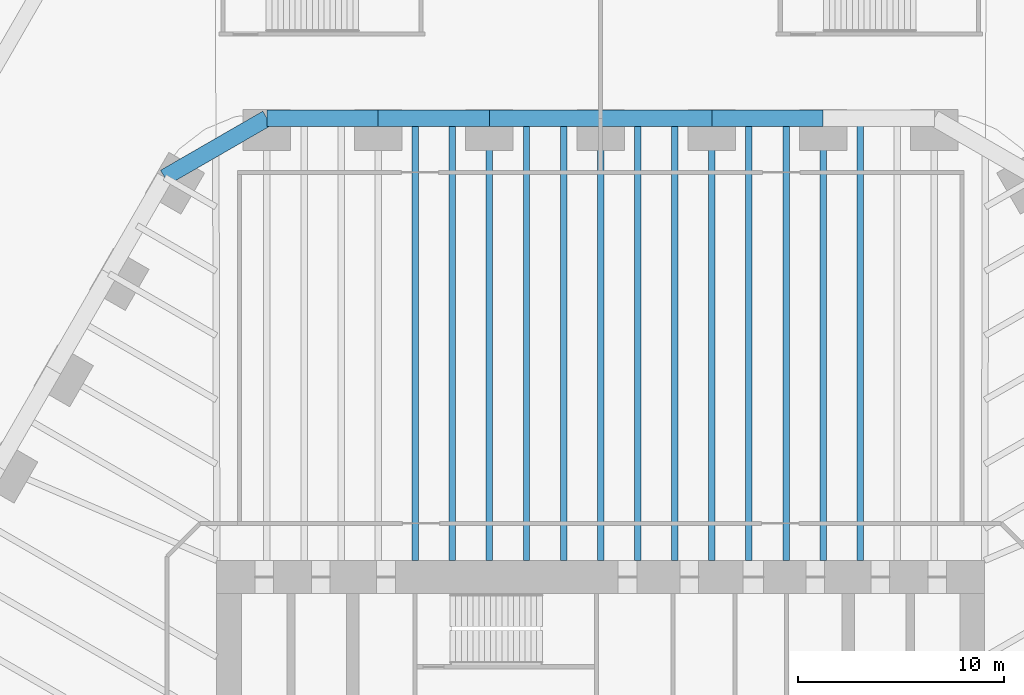
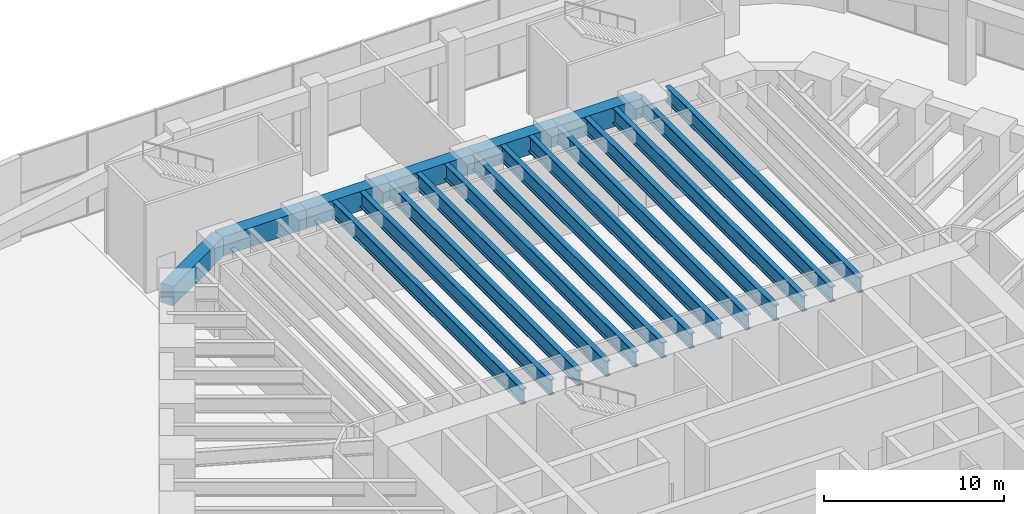
# One storey, part 17 of 31: 19 beams.
"""IFC4 building model written with IfcOpenShell, lengths in metres."""

from ifc_helpers import new_model, si_unit, direction, frame, origin, origin_2d, place, context, subcontext, project, spatial, rectangle, i_section, extrude, material, material_profile, profile_set, type_object, element, save


model = new_model("IFC4")

# Units and contexts
model_context = context("Model", 3, precision=1e-05, world=origin(), true_north=direction((0.0, 1.0)))
body_context = subcontext(model_context, "Body", "Model", "MODEL_VIEW")
ifc_project = project(units=[si_unit("LENGTHUNIT", "METRE"), si_unit("AREAUNIT", "SQUARE_METRE"), si_unit("VOLUMEUNIT", "CUBIC_METRE"), si_unit("PLANEANGLEUNIT", "RADIAN"), si_unit("MASSUNIT", "GRAM", prefix="KILO")], contexts=[model_context])

# Site, building, storey
site_placement = place(None, origin())
site = spatial("IfcSite", under=ifc_project, at=site_placement, CompositionType="ELEMENT")
building_placement = place(site_placement, origin())
building = spatial("IfcBuilding", under=site, at=building_placement, Name="Tarfa Lantern Tower", CompositionType="ELEMENT")
storey_placement = place(building_placement, frame((0.0, 0.0, 7.0)))
storey = spatial("IfcBuildingStorey", under=building, at=storey_placement, Name="L01", CompositionType="ELEMENT", Elevation=7.0)

# Beams
ifc_material_1 = material(Name="Concrete C80/95", Category="concrete")
ifc_material_profile_1 = material_profile(ifc_material_1, rectangle(XDim=0.800048828125, YDim=1.300048828125, at=origin_2d()), Name="RC 800x1300")
ifc_profile_set_1 = profile_set([ifc_material_profile_1], Name="Concrete C80/95")
beam_type_1 = type_object("IfcBeamType", Name="EB1 RC 800x1300", PredefinedType="SPANDREL", material=ifc_profile_set_1)
beam_1_placement = place(storey_placement, frame((10.777099609375, 33.719970703125, 5.0), z_axis=(-1.0, 0.0, 0.0), x_axis=(0.0, -1.0, 0.0)))
element("IfcBeam", 1, at=beam_1_placement, inside=storey, type_object=beam_type_1, Name="Edge beam N1", PredefinedType="SPANDREL", context=body_context, shape_type="SweptSolid", body=[
    extrude(rectangle(XDim=0.800048828125, YDim=1.300048828125, at=origin_2d()), origin(), (0.0, 0.0, 1.0), 5.388427734375),
])
for number, where, z_axis, x_axis, name in (
    (2, (5.388671875, 33.719970703125, 5.0), (-1.0, 0.0, 0.0), (0.0, -1.0, 0.0), "Edge beam N2"),
    (3, (0.0, 33.719970703125, 5.0), (-1.0, 0.0, 0.0), (0.0, -1.0, 0.0), "Edge beam N3"),
):
    element("IfcBeam", number, at=place(storey_placement, frame(where, z_axis=z_axis, x_axis=x_axis)), inside=storey, type_object=beam_type_1, Name=name, PredefinedType="SPANDREL", context=body_context, shape_type="SweptSolid", body=[
        extrude(rectangle(XDim=0.800048828125, YDim=1.300048828125, at=origin_2d()), origin(), (0.0, 0.0, 1.0), 5.388671875),
    ])
beam_2_placement = place(storey_placement, frame((-5.388671875, 33.719970703125, 5.0), z_axis=(-1.0, 0.0, 0.0), x_axis=(0.0, -1.0, 0.0)))
element("IfcBeam", 4, at=beam_2_placement, inside=storey, type_object=beam_type_1, Name="Edge beam N4", PredefinedType="SPANDREL", context=body_context, shape_type="SweptSolid", body=[
    extrude(rectangle(XDim=0.800048828125, YDim=1.300048828125, at=origin_2d()), origin(), (0.0, 0.0, 1.0), 5.388427734375),
])
beam_3_placement = place(storey_placement, frame((-10.777099609375, 33.719970703125, 5.0), z_axis=(-1.0, 0.0, 0.0), x_axis=(0.0, -1.0, 0.0)))
element("IfcBeam", 5, at=beam_3_placement, inside=storey, type_object=beam_type_1, Name="Edge beam N5", PredefinedType="SPANDREL", context=body_context, shape_type="SweptSolid", body=[
    extrude(rectangle(XDim=0.800048828125, YDim=1.300048828125, at=origin_2d()), origin(), (0.0, 0.0, 1.0), 5.388671875),
])
beam_4_placement = place(storey_placement, frame((-16.165771484375, 33.719970703125, 5.0), z_axis=(-0.866033479681, -0.499986011877, 0.0), x_axis=(0.499986011877, -0.866033479681, 0.0)))
element("IfcBeam", 6, at=beam_4_placement, inside=storey, type_object=beam_type_1, Name="Edge beam N6", PredefinedType="SPANDREL", context=body_context, shape_type="SweptSolid", body=[
    extrude(rectangle(XDim=0.800048828125, YDim=1.300048828125, at=origin_2d()), origin(), (0.0, 0.0, 1.0), 5.719970703125),
])
ifc_material_2 = material(Name="Steel S460M", Category="steel")
ifc_material_profile_2 = material_profile(ifc_material_2, i_section(OverallWidth=0.314208984375, OverallDepth=1.055908203125, WebThickness=0.035888671875, FlangeThickness=0.06396484375, FilletRadius=0.030029296875, at=origin_2d()), Name="UB1016x305x584")
ifc_profile_set_2 = profile_set([ifc_material_profile_2], Name="Steel S460M")
beam_type_2 = type_object("IfcBeamType", Name="UB1016x305x584", PredefinedType="BEAM", material=ifc_profile_set_2)
for number, where, z_axis, x_axis, name in (
    (7, (10.777099609375, 33.719970703125, 5.1220703125), (0.0, -1.0, 0.0), (1.0, 0.0, 0.0), "Floor beam N1"),
    (8, (5.388671875, 33.719970703125, 5.1220703125), (0.0, -1.0, 0.0), (1.0, 0.0, 0.0), "Floor beam N2"),
    (9, (0.0, 33.719970703125, 5.1220703125), (0.0, -1.0, 0.0), (1.0, 0.0, 0.0), "Floor beam N3"),
    (10, (-5.388671875, 33.719970703125, 5.1220703125), (0.0, -1.0, 0.0), (1.0, 0.0, 0.0), "Floor beam N4"),
    (11, (12.573486328125, 33.719970703125, 5.1220703125), (0.0, -1.0, 0.0), (1.0, 0.0, 0.0), "Floor beam N0M2"),
    (12, (8.98095703125, 33.719970703125, 5.1220703125), (0.0, -1.0, 0.0), (1.0, 0.0, 0.0), "Floor beam N1M1"),
    (13, (7.184814453125, 33.719970703125, 5.1220703125), (0.0, -1.0, 0.0), (1.0, 0.0, 0.0), "Floor beam N1M2"),
    (14, (3.59228515625, 33.719970703125, 5.1220703125), (0.0, -1.0, 0.0), (1.0, 0.0, 0.0), "Floor beam N2M1"),
    (15, (1.796142578125, 33.719970703125, 5.1220703125), (0.0, -1.0, 0.0), (1.0, 0.0, 0.0), "Floor beam N2M2"),
    (16, (-1.796142578125, 33.719970703125, 5.1220703125), (0.0, -1.0, 0.0), (1.0, 0.0, 0.0), "Floor beam N3M1"),
    (17, (-3.59228515625, 33.719970703125, 5.1220703125), (0.0, -1.0, 0.0), (1.0, 0.0, 0.0), "Floor beam N3M2"),
    (18, (-7.184814453125, 33.719970703125, 5.1220703125), (0.0, -1.0, 0.0), (1.0, 0.0, 0.0), "Floor beam N4M1"),
    (19, (-8.98095703125, 33.719970703125, 5.1220703125), (0.0, -1.0, 0.0), (1.0, 0.0, 0.0), "Floor beam N4M2"),
):
    element("IfcBeam", number, at=place(storey_placement, frame(where, z_axis=z_axis, x_axis=x_axis)), inside=storey, type_object=beam_type_2, Name=name, PredefinedType="BEAM", context=body_context, shape_type="SweptSolid", body=[
        extrude(i_section(OverallWidth=0.314208984375, OverallDepth=1.055908203125, WebThickness=0.035888671875, FlangeThickness=0.06396484375, FilletRadius=0.030029296875, at=origin_2d()), origin(), (0.0, 0.0, 1.0), 21.419921875),
    ])

save(model, "model.ifc")
